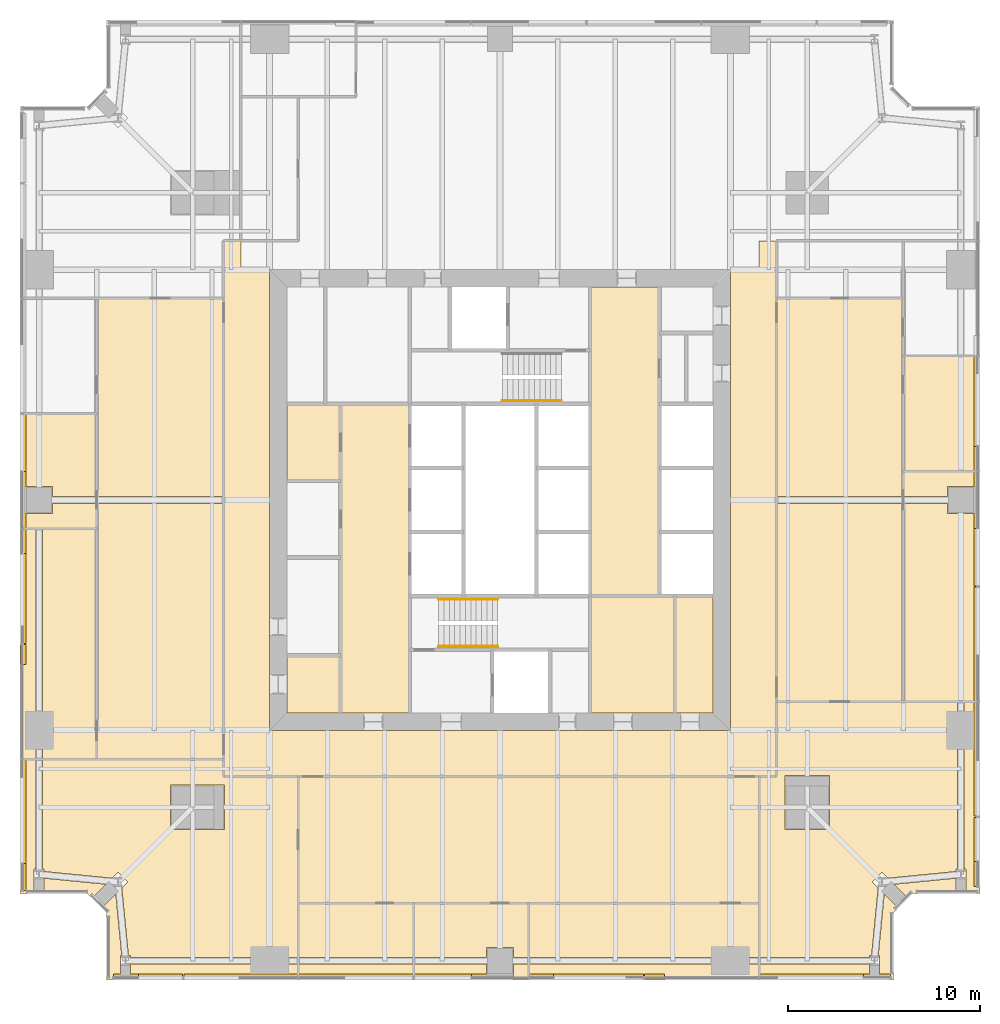
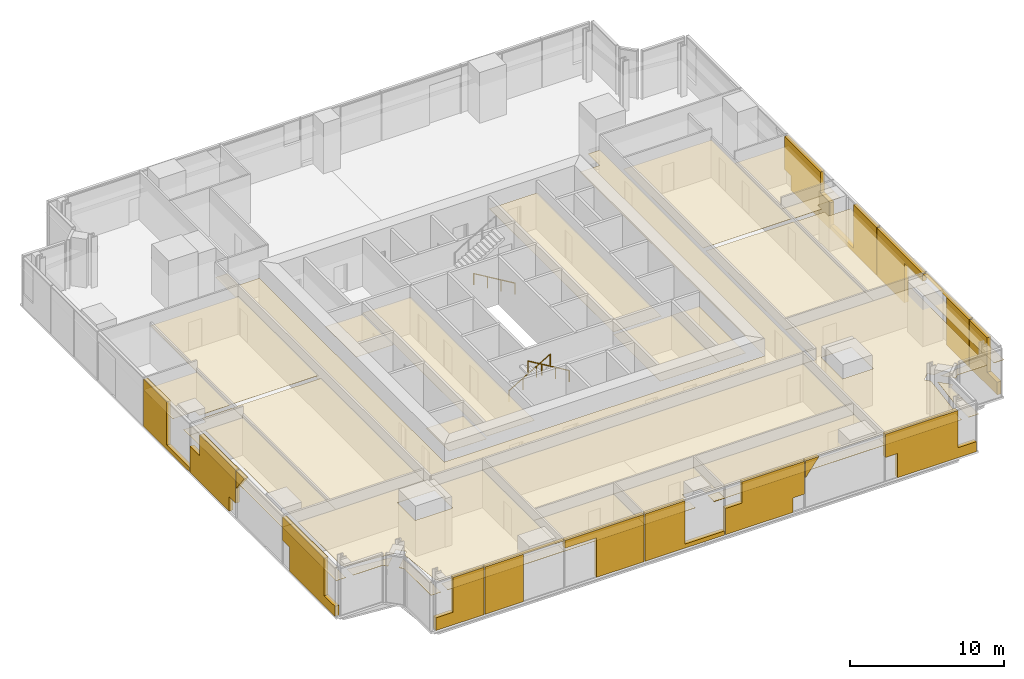
# One storey, part 13 of 14: 52 coverings, 3 railings.
"""IFC4 building model written with IfcOpenShell, lengths in metres."""

from ifc_helpers import new_model, si_unit, direction, frame, origin, origin_2d, place, context, subcontext, project, spatial, polyline, circle, outline, extrude, material, layer, layer_set, type_object, element, save


model = new_model("IFC4")

# Units and contexts
model_context = context("Model", 3, precision=1e-05, world=origin(), true_north=direction((0.0, 1.0)))
body_context = subcontext(model_context, "Body", "Model", "MODEL_VIEW")
ifc_project = project(units=[si_unit("LENGTHUNIT", "METRE"), si_unit("AREAUNIT", "SQUARE_METRE"), si_unit("VOLUMEUNIT", "CUBIC_METRE"), si_unit("PLANEANGLEUNIT", "RADIAN"), si_unit("MASSUNIT", "GRAM", prefix="KILO")], contexts=[model_context])

# Site, building, storey
site_placement = place(None, origin())
site = spatial("IfcSite", under=ifc_project, at=site_placement, CompositionType="ELEMENT")
building_placement = place(site_placement, origin())
building = spatial("IfcBuilding", under=site, at=building_placement, Name="Fenwick Lantern Interchange", CompositionType="ELEMENT")
storey_placement = place(building_placement, frame((0.0, 0.0, 150.39990234375)))
storey = spatial("IfcBuildingStorey", under=building, at=storey_placement, Name="L35", CompositionType="ELEMENT", Elevation=150.39990234375)

# Coverings
ifc_material_1 = material(Name="Mineral fibre acoustic tile on suspended grid")
ifc_layer_1 = layer(ifc_material_1, 0.02001953125)
ifc_layer_set_1 = layer_set([ifc_layer_1], Name="ACOUSTIC TILE CEILING 20")
covering_type_1 = type_object("IfcCoveringType", Name="ACOUSTIC TILE CEILING 20", PredefinedType="CEILING", material=ifc_layer_set_1)
covering_1_placement = place(storey_placement, frame((0.0, 0.0, 2.900146484375)))
element("IfcCovering", 1, at=covering_1_placement, inside=storey, type_object=covering_type_1, Name="Office suite ceiling", PredefinedType="CEILING", context=body_context, shape_type="SweptSolid", body=[
    extrude(outline(polyline([(14.5, 10.60009765625), (14.5, 4.0), (38.5, 4.0), (38.5, 10.60009765625), (14.5, 10.60009765625)])), origin(), (0.0, 0.0, 1.0), 0.02001953125),
])
covering_2_placement = place(storey_placement, frame((0.0, 0.0, 2.900146484375)))
element("IfcCovering", 2, at=covering_2_placement, inside=storey, type_object=covering_type_1, Name="Office study ceiling", PredefinedType="CEILING", context=body_context, shape_type="SweptSolid", body=[
    extrude(outline(polyline([(10.60009765625, 10.60009765625), (10.60009765625, 11.5), (1.17236328125, 11.5), (1.17236328125, 5.78759765625), (1.26220703125, 5.78759765625), (1.26220703125, 5.647705078125), (4.78369140625, 5.303955078125), (5.10009765625, 5.620361328125), (5.620361328125, 5.10009765625), (5.303955078125, 4.78369140625), (5.645263671875, 1.28759765625), (5.76220703125, 1.28759765625), (5.76220703125, 1.17236328125), (13.0, 1.17236328125), (14.5, 1.17236328125), (14.5, 10.60009765625), (10.60009765625, 10.60009765625)]), holes=[polyline([(7.85009765625, 10.14990234375), (10.64990234375, 10.14990234375), (10.64990234375, 7.85009765625), (7.85009765625, 7.85009765625), (7.85009765625, 10.14990234375)])]), origin(), (0.0, 0.0, 1.0), 0.02001953125),
])
covering_3_placement = place(storey_placement, frame((0.0, 0.0, 2.900146484375)))
element("IfcCovering", 3, at=covering_3_placement, inside=storey, type_object=covering_type_1, Name="Office study ceiling", PredefinedType="CEILING", context=body_context, shape_type="SweptSolid", body=[
    extrude(outline(polyline([(14.5, 0.0), (14.5, 0.82763671875), (13.0, 0.82763671875), (5.76220703125, 0.82763671875), (5.76220703125, 0.0), (14.5, 0.0)])), origin(), (0.0, 0.0, 1.0), 0.02001953125),
])
covering_4_placement = place(storey_placement, frame((0.0, 0.0, 2.900146484375)))
element("IfcCovering", 4, at=covering_4_placement, inside=storey, type_object=covering_type_1, Name="Office study ceiling", PredefinedType="CEILING", context=body_context, shape_type="SweptSolid", body=[
    extrude(outline(polyline([(0.73779296875, 5.78759765625), (0.82763671875, 5.78759765625), (0.82763671875, 11.5), (0.0, 11.5), (0.0, 4.5), (0.73779296875, 4.5), (0.73779296875, 5.78759765625)])), origin(), (0.0, 0.0, 1.0), 0.02001953125),
])
covering_5_placement = place(storey_placement, frame((0.0, 0.0, 2.900146484375)))
element("IfcCovering", 5, at=covering_5_placement, inside=storey, type_object=covering_type_1, Name="Office study ceiling", PredefinedType="CEILING", context=body_context, shape_type="SweptSolid", body=[
    extrude(outline(polyline([(5.23779296875, 1.28759765625), (5.298828125, 1.28759765625), (4.988525390625, 4.468017578125), (4.26025390625, 3.73974609375), (4.5, 3.5), (4.5, 0.0), (5.23779296875, 0.0), (5.23779296875, 1.28759765625)])), origin(), (0.0, 0.0, 1.0), 0.02001953125),
])
covering_6_placement = place(storey_placement, frame((0.0, 0.0, 2.900146484375)))
element("IfcCovering", 6, at=covering_6_placement, inside=storey, type_object=covering_type_1, Name="Office study ceiling", PredefinedType="CEILING", context=body_context, shape_type="SweptSolid", body=[
    extrude(outline(polyline([(3.73974609375, 4.26025390625), (4.468017578125, 4.988525390625), (1.26220703125, 5.30126953125), (1.26220703125, 4.5), (3.5, 4.5), (3.73974609375, 4.26025390625)])), origin(), (0.0, 0.0, 1.0), 0.02001953125),
])
covering_7_placement = place(storey_placement, frame((0.0, 0.0, 2.900146484375)))
element("IfcCovering", 7, at=covering_7_placement, inside=storey, type_object=covering_type_1, Name="Office ceiling", PredefinedType="CEILING", context=body_context, shape_type="SweptSolid", body=[
    extrude(outline(polyline([(14.5, 4.0), (14.5, 1.17236328125), (20.5, 1.17236328125), (20.5, 4.0), (14.5, 4.0)])), origin(), (0.0, 0.0, 1.0), 0.02001953125),
])
covering_8_placement = place(storey_placement, frame((0.0, 0.0, 2.900146484375)))
element("IfcCovering", 8, at=covering_8_placement, inside=storey, type_object=covering_type_1, Name="Office ceiling", PredefinedType="CEILING", context=body_context, shape_type="SweptSolid", body=[
    extrude(outline(polyline([(20.5, 0.0), (20.5, 0.82763671875), (14.5, 0.82763671875), (14.5, 0.0), (20.5, 0.0)])), origin(), (0.0, 0.0, 1.0), 0.02001953125),
])
covering_9_placement = place(storey_placement, frame((0.0, 0.0, 2.900146484375)))
element("IfcCovering", 9, at=covering_9_placement, inside=storey, type_object=covering_type_1, Name="Office ceiling", PredefinedType="CEILING", context=body_context, shape_type="SweptSolid", body=[
    extrude(outline(polyline([(20.5, 4.0), (20.5, 1.17236328125), (24.300048828125, 1.17236328125), (24.300048828125, 1.699951171875), (25.699951171875, 1.699951171875), (25.699951171875, 1.17236328125), (26.5, 1.17236328125), (26.5, 4.0), (20.5, 4.0)])), origin(), (0.0, 0.0, 1.0), 0.02001953125),
])
covering_10_placement = place(storey_placement, frame((0.0, 0.0, 2.900146484375)))
element("IfcCovering", 10, at=covering_10_placement, inside=storey, type_object=covering_type_1, Name="Office ceiling", PredefinedType="CEILING", context=body_context, shape_type="SweptSolid", body=[
    extrude(outline(polyline([(20.5, 0.82763671875), (20.5, 0.0), (24.300048828125, 0.0), (24.300048828125, 0.82763671875), (20.5, 0.82763671875)])), origin(), (0.0, 0.0, 1.0), 0.02001953125),
])
covering_11_placement = place(storey_placement, frame((0.0, 0.0, 2.900146484375)))
element("IfcCovering", 11, at=covering_11_placement, inside=storey, type_object=covering_type_1, Name="Office ceiling", PredefinedType="CEILING", context=body_context, shape_type="SweptSolid", body=[
    extrude(outline(polyline([(26.5, 0.0), (26.5, 0.82763671875), (25.699951171875, 0.82763671875), (25.699951171875, 0.0), (26.5, 0.0)])), origin(), (0.0, 0.0, 1.0), 0.02001953125),
])
covering_12_placement = place(storey_placement, frame((0.0, 0.0, 2.900146484375)))
element("IfcCovering", 12, at=covering_12_placement, inside=storey, type_object=covering_type_1, Name="Meeting room ceiling", PredefinedType="CEILING", context=body_context, shape_type="SweptSolid", body=[
    extrude(outline(polyline([(26.5, 4.0), (26.5, 1.17236328125), (37.0, 1.17236328125), (38.5, 1.17236328125), (38.5, 4.0), (26.5, 4.0)])), origin(), (0.0, 0.0, 1.0), 0.02001953125),
])
covering_13_placement = place(storey_placement, frame((0.0, 0.0, 2.900146484375)))
element("IfcCovering", 13, at=covering_13_placement, inside=storey, type_object=covering_type_1, Name="Meeting room ceiling", PredefinedType="CEILING", context=body_context, shape_type="SweptSolid", body=[
    extrude(outline(polyline([(26.5, 0.82763671875), (26.5, 0.0), (38.5, 0.0), (38.5, 0.82763671875), (37.0, 0.82763671875), (26.5, 0.82763671875)])), origin(), (0.0, 0.0, 1.0), 0.02001953125),
])
covering_14_placement = place(storey_placement, frame((0.0, 0.0, 2.900146484375)))
element("IfcCovering", 14, at=covering_14_placement, inside=storey, type_object=covering_type_1, Name="Office suite ceiling", PredefinedType="CEILING", context=body_context, shape_type="SweptSolid", body=[
    extrude(outline(polyline([(39.39990234375, 24.824951171875), (39.39990234375, 14.5), (46.0, 14.5), (46.0, 24.824951171875), (39.39990234375, 24.824951171875)])), origin(), (0.0, 0.0, 1.0), 0.02001953125),
])
covering_15_placement = place(storey_placement, frame((0.0, 0.0, 2.900146484375)))
element("IfcCovering", 15, at=covering_15_placement, inside=storey, type_object=covering_type_1, Name="Office suite ceiling", PredefinedType="CEILING", context=body_context, shape_type="SweptSolid", body=[
    extrude(outline(polyline([(39.39990234375, 35.5), (39.39990234375, 25.175048828125), (46.0, 25.175048828125), (46.0, 35.5), (39.39990234375, 35.5)])), origin(), (0.0, 0.0, 1.0), 0.02001953125),
])
covering_16_placement = place(storey_placement, frame((0.0, 0.0, 2.900146484375)))
element("IfcCovering", 16, at=covering_16_placement, inside=storey, type_object=covering_type_1, Name="Office study ceiling", PredefinedType="CEILING", context=body_context, shape_type="SweptSolid", body=[
    extrude(outline(polyline([(44.23779296875, 1.28759765625), (44.354736328125, 1.28759765625), (44.696044921875, 4.78369140625), (44.379638671875, 5.10009765625), (44.89990234375, 5.620361328125), (45.21630859375, 5.303955078125), (48.73779296875, 5.647705078125), (48.73779296875, 5.78759765625), (48.82763671875, 5.78759765625), (48.82763671875, 13.0), (48.82763671875, 14.5), (39.39990234375, 14.5), (39.39990234375, 10.60009765625), (38.5, 10.60009765625), (38.5, 1.17236328125), (44.23779296875, 1.17236328125), (44.23779296875, 1.28759765625)]), holes=[polyline([(39.85009765625, 7.85009765625), (39.85009765625, 10.64990234375), (42.14990234375, 10.64990234375), (42.14990234375, 7.85009765625), (39.85009765625, 7.85009765625)])]), origin(), (0.0, 0.0, 1.0), 0.02001953125),
])
covering_17_placement = place(storey_placement, frame((0.0, 0.0, 2.900146484375)))
element("IfcCovering", 17, at=covering_17_placement, inside=storey, type_object=covering_type_1, Name="Office study ceiling", PredefinedType="CEILING", context=body_context, shape_type="SweptSolid", body=[
    extrude(outline(polyline([(50.0, 14.5), (49.17236328125, 14.5), (49.17236328125, 13.0), (49.17236328125, 5.78759765625), (49.26220703125, 5.78759765625), (49.26220703125, 4.5), (50.0, 4.5), (50.0, 14.5)])), origin(), (0.0, 0.0, 1.0), 0.02001953125),
])
covering_18_placement = place(storey_placement, frame((0.0, 0.0, 2.900146484375)))
element("IfcCovering", 18, at=covering_18_placement, inside=storey, type_object=covering_type_1, Name="Office study ceiling", PredefinedType="CEILING", context=body_context, shape_type="SweptSolid", body=[
    extrude(outline(polyline([(44.23779296875, 0.0), (44.23779296875, 0.82763671875), (38.5, 0.82763671875), (38.5, 0.0), (44.23779296875, 0.0)])), origin(), (0.0, 0.0, 1.0), 0.02001953125),
])
covering_19_placement = place(storey_placement, frame((0.0, 0.0, 2.900146484375)))
element("IfcCovering", 19, at=covering_19_placement, inside=storey, type_object=covering_type_1, Name="Office study ceiling", PredefinedType="CEILING", context=body_context, shape_type="SweptSolid", body=[
    extrude(outline(polyline([(44.701171875, 1.28759765625), (44.76220703125, 1.28759765625), (44.76220703125, 0.0), (45.5, 0.0), (45.5, 3.5), (45.73974609375, 3.73974609375), (45.011474609375, 4.468017578125), (44.701171875, 1.28759765625)])), origin(), (0.0, 0.0, 1.0), 0.02001953125),
])
covering_20_placement = place(storey_placement, frame((0.0, 0.0, 2.900146484375)))
element("IfcCovering", 20, at=covering_20_placement, inside=storey, type_object=covering_type_1, Name="Office study ceiling", PredefinedType="CEILING", context=body_context, shape_type="SweptSolid", body=[
    extrude(outline(polyline([(48.73779296875, 4.5), (48.73779296875, 5.30126953125), (45.531982421875, 4.988525390625), (46.26025390625, 4.26025390625), (46.5, 4.5), (48.73779296875, 4.5)])), origin(), (0.0, 0.0, 1.0), 0.02001953125),
])
covering_21_placement = place(storey_placement, frame((0.0, 0.0, 2.8681640625)))
element("IfcCovering", 21, at=covering_21_placement, inside=storey, type_object=covering_type_1, Name="Meeting room ceiling", PredefinedType="CEILING", context=body_context, shape_type="SweptSolid", body=[
    extrude(outline(polyline([(46.0, 24.824951171875), (46.0, 14.5), (50.0, 14.5), (50.0, 24.300048828125), (48.300048828125, 24.300048828125), (48.300048828125, 24.824951171875), (46.0, 24.824951171875)])), origin(), (0.0, 0.0, 1.0), 0.02001953125),
])
covering_22_placement = place(storey_placement, frame((0.0, 0.0, 2.8681640625)))
element("IfcCovering", 22, at=covering_22_placement, inside=storey, type_object=covering_type_1, Name="Meeting room ceiling", PredefinedType="CEILING", context=body_context, shape_type="SweptSolid", body=[
    extrude(outline(polyline([(46.0, 26.5), (46.0, 25.175048828125), (48.300048828125, 25.175048828125), (48.300048828125, 25.699951171875), (50.0, 25.699951171875), (50.0, 26.5), (46.0, 26.5)])), origin(), (0.0, 0.0, 1.0), 0.02001953125),
])
covering_23_placement = place(storey_placement, frame((0.0, 0.0, 2.8681640625)))
element("IfcCovering", 23, at=covering_23_placement, inside=storey, type_object=covering_type_1, Name="Office ceiling", PredefinedType="CEILING", context=body_context, shape_type="SweptSolid", body=[
    extrude(outline(polyline([(50.0, 26.5), (50.0, 32.5), (46.0, 32.5), (46.0, 26.5), (50.0, 26.5)])), origin(), (0.0, 0.0, 1.0), 0.02001953125),
])
covering_24_placement = place(storey_placement, frame((0.0, 0.0, 2.900146484375)))
element("IfcCovering", 24, at=covering_24_placement, inside=storey, type_object=covering_type_1, Name="Office suite ceiling", PredefinedType="CEILING", context=body_context, shape_type="SweptSolid", body=[
    extrude(outline(polyline([(10.60009765625, 11.5), (10.60009765625, 24.824951171875), (4.0, 24.824951171875), (4.0, 11.5), (10.60009765625, 11.5)])), origin(), (0.0, 0.0, 1.0), 0.02001953125),
])
covering_25_placement = place(storey_placement, frame((0.0, 0.0, 2.900146484375)))
element("IfcCovering", 25, at=covering_25_placement, inside=storey, type_object=covering_type_1, Name="Office suite ceiling", PredefinedType="CEILING", context=body_context, shape_type="SweptSolid", body=[
    extrude(outline(polyline([(10.60009765625, 25.175048828125), (10.60009765625, 35.5), (4.0, 35.5), (4.0, 25.175048828125), (10.60009765625, 25.175048828125)])), origin(), (0.0, 0.0, 1.0), 0.02001953125),
])
covering_26_placement = place(storey_placement, frame((0.0, 0.0, 2.8681640625)))
element("IfcCovering", 26, at=covering_26_placement, inside=storey, type_object=covering_type_1, Name="Office ceiling", PredefinedType="CEILING", context=body_context, shape_type="SweptSolid", body=[
    extrude(outline(polyline([(4.0, 29.5), (0.0, 29.5), (0.0, 25.699951171875), (1.699951171875, 25.699951171875), (1.699951171875, 25.175048828125), (4.0, 25.175048828125), (4.0, 29.5)])), origin(), (0.0, 0.0, 1.0), 0.02001953125),
])
covering_27_placement = place(storey_placement, frame((0.0, 0.0, 2.8681640625)))
element("IfcCovering", 27, at=covering_27_placement, inside=storey, type_object=covering_type_1, Name="Office ceiling", PredefinedType="CEILING", context=body_context, shape_type="SweptSolid", body=[
    extrude(outline(polyline([(4.0, 23.5), (4.0, 24.824951171875), (1.699951171875, 24.824951171875), (1.699951171875, 24.300048828125), (0.0, 24.300048828125), (0.0, 23.5), (4.0, 23.5)])), origin(), (0.0, 0.0, 1.0), 0.02001953125),
])
covering_28_placement = place(storey_placement, frame((0.0, 0.0, 2.900146484375)))
element("IfcCovering", 28, at=covering_28_placement, inside=storey, type_object=covering_type_1, Name="Meeting room ceiling", PredefinedType="CEILING", context=body_context, shape_type="SweptSolid", body=[
    extrude(outline(polyline([(4.0, 23.5), (1.17236328125, 23.5), (1.17236328125, 13.0), (1.17236328125, 11.5), (4.0, 11.5), (4.0, 23.5)])), origin(), (0.0, 0.0, 1.0), 0.02001953125),
])
covering_29_placement = place(storey_placement, frame((0.0, 0.0, 2.900146484375)))
element("IfcCovering", 29, at=covering_29_placement, inside=storey, type_object=covering_type_1, Name="Meeting room ceiling", PredefinedType="CEILING", context=body_context, shape_type="SweptSolid", body=[
    extrude(outline(polyline([(0.82763671875, 23.5), (0.0, 23.5), (0.0, 11.5), (0.82763671875, 11.5), (0.82763671875, 13.0), (0.82763671875, 23.5)])), origin(), (0.0, 0.0, 1.0), 0.02001953125),
])
ifc_material_2 = material(Name="Granite cladding, warm grey flamed finish, on aluminium carrier frame", Category="masonry")
ifc_layer_2 = layer(ifc_material_2, 0.300048828125)
ifc_layer_set_2 = layer_set([ifc_layer_2], Name="BRACE CASING PANEL 300")
covering_type_2 = type_object("IfcCoveringType", Name="BRACE CASING PANEL 300", PredefinedType="CLADDING", material=ifc_layer_set_2)
covering_30_placement = place(storey_placement, frame((4.60009765625, 0.10009765625, 0.0), z_axis=(0.0, 0.0, 1.0), x_axis=(1.0, 0.0, 0.0)))
element("IfcCovering", 30, at=covering_30_placement, inside=storey, type_object=covering_type_2, Name="Brace casing 01 bay 00a", PredefinedType="CLADDING", context=body_context, shape_type="SweptSolid", body=[
    extrude(outline(polyline([(0.264892578125, 0.0), (3.867431640625, 0.0), (3.867431640625, 3.75), (1.56005859375, 3.75), (1.56005859375, 1.008056640625), (0.264892578125, 1.008056640625), (0.264892578125, 0.0)])), frame((0.0, 0.2001953125, 0.0), z_axis=(0.0, -1.0, 0.0), x_axis=(1.0, 0.0, 0.0)), (0.0, 0.0, 1.0), 0.300048828125),
])
covering_31_placement = place(storey_placement, frame((4.60009765625, 0.10009765625, 0.0), z_axis=(0.0, 0.0, 1.0), x_axis=(1.0, 0.0, 0.0)))
element("IfcCovering", 31, at=covering_31_placement, inside=storey, type_object=covering_type_2, Name="Brace casing 01 bay 01a", PredefinedType="CLADDING", context=body_context, shape_type="SweptSolid", body=[
    extrude(outline(polyline([(3.9326171875, 0.0), (6.835205078125, 0.0), (6.835205078125, 3.7490234375), (9.867431640625, 3.7490234375), (9.867431640625, 3.75), (3.9326171875, 3.75), (3.9326171875, 0.0)])), frame((0.0, 0.2001953125, 0.0), z_axis=(0.0, -1.0, 0.0), x_axis=(1.0, 0.0, 0.0)), (0.0, 0.0, 1.0), 0.300048828125),
])
covering_32_placement = place(storey_placement, frame((4.60009765625, 0.10009765625, 0.0), z_axis=(0.0, 0.0, 1.0), x_axis=(1.0, 0.0, 0.0)))
element("IfcCovering", 32, at=covering_32_placement, inside=storey, type_object=covering_type_2, Name="Brace casing 01 bay 02a", PredefinedType="CLADDING", context=body_context, shape_type="SweptSolid", body=[
    extrude(outline(polyline([(12.297607421875, 0.0), (15.867431640625, 0.0), (15.867431640625, 3.75), (9.9326171875, 3.75), (9.9326171875, 3.133544921875), (12.297607421875, 3.133544921875), (12.297607421875, 0.0)])), frame((0.0, 0.2001953125, 0.0), z_axis=(0.0, -1.0, 0.0), x_axis=(1.0, 0.0, 0.0)), (0.0, 0.0, 1.0), 0.300048828125),
])
covering_33_placement = place(storey_placement, frame((4.60009765625, 0.10009765625, 0.0), z_axis=(0.0, 0.0, 1.0), x_axis=(1.0, 0.0, 0.0)))
element("IfcCovering", 33, at=covering_33_placement, inside=storey, type_object=covering_type_2, Name="Brace casing 01 bay 03a", PredefinedType="CLADDING", context=body_context, shape_type="SweptSolid", body=[
    extrude(outline(polyline([(15.9326171875, 0.0), (21.867431640625, 0.0), (21.867431640625, 0.328125), (18.928466796875, 0.328125), (18.928466796875, 3.75), (15.9326171875, 3.75), (15.9326171875, 0.0)])), frame((0.0, 0.2001953125, 0.0), z_axis=(0.0, -1.0, 0.0), x_axis=(1.0, 0.0, 0.0)), (0.0, 0.0, 1.0), 0.300048828125),
])
covering_34_placement = place(storey_placement, frame((4.60009765625, 0.10009765625, 0.0), z_axis=(0.0, 0.0, 1.0), x_axis=(1.0, 0.0, 0.0)))
element("IfcCovering", 34, at=covering_34_placement, inside=storey, type_object=covering_type_2, Name="Brace casing 01 bay 04a", PredefinedType="CLADDING", context=body_context, shape_type="SweptSolid", body=[
    extrude(outline(polyline([(21.9326171875, 0.0), (27.00048828125, 0.0), (27.00048828125, 1.145263671875), (27.867431640625, 1.145263671875), (27.867431640625, 3.75), (23.192626953125, 3.75), (23.192626953125, 2.076904296875), (21.9326171875, 2.076904296875), (21.9326171875, 0.0)])), frame((0.0, 0.2001953125, 0.0), z_axis=(0.0, -1.0, 0.0), x_axis=(1.0, 0.0, 0.0)), (0.0, 0.0, 1.0), 0.300048828125),
])
covering_35_placement = place(storey_placement, frame((4.60009765625, 0.10009765625, 2.379150390625), z_axis=(0.0, 0.0, 1.0), x_axis=(1.0, 0.0, 0.0)))
element("IfcCovering", 35, at=covering_35_placement, inside=storey, type_object=covering_type_2, Name="Brace casing 01 bay 05a", PredefinedType="CLADDING", context=body_context, shape_type="SweptSolid", body=[
    extrude(outline(polyline([(27.9326171875, 0.0), (28.96826171875, 1.370849609375), (27.9326171875, 1.370849609375), (27.9326171875, 0.0)])), frame((0.0, 0.2001953125, 0.0), z_axis=(0.0, -1.0, 0.0), x_axis=(1.0, 0.0, 0.0)), (0.0, 0.0, 1.0), 0.300048828125),
])
covering_36_placement = place(storey_placement, frame((4.60009765625, 0.10009765625, 0.0), z_axis=(0.0, 0.0, 1.0), x_axis=(1.0, 0.0, 0.0)))
element("IfcCovering", 36, at=covering_36_placement, inside=storey, type_object=covering_type_2, Name="Brace casing 01 bay 06a", PredefinedType="CLADDING", context=body_context, shape_type="SweptSolid", body=[
    extrude(outline(polyline([(34.83251953125, 0.0), (40.735107421875, 0.0), (40.735107421875, 0.79541015625), (39.34033203125, 0.79541015625), (39.34033203125, 3.75), (33.9326171875, 3.75), (33.9326171875, 1.9111328125), (34.83251953125, 1.9111328125), (34.83251953125, 0.0)])), frame((0.0, 0.2001953125, 0.0), z_axis=(0.0, -1.0, 0.0), x_axis=(1.0, 0.0, 0.0)), (0.0, 0.0, 1.0), 0.300048828125),
])
covering_37_placement = place(storey_placement, frame((49.89990234375, 4.60009765625, 0.0), z_axis=(0.0, 0.0, 1.0), x_axis=(0.0, 1.0, 0.0)))
element("IfcCovering", 37, at=covering_37_placement, inside=storey, type_object=covering_type_2, Name="Brace casing 05 bay 00a", PredefinedType="CLADDING", context=body_context, shape_type="SweptSolid", body=[
    extrude(outline(polyline([(0.264892578125, 0.0), (3.867431640625, 0.0), (3.867431640625, 3.75), (1.56005859375, 3.75), (1.56005859375, 1.008056640625), (0.264892578125, 1.008056640625), (0.264892578125, 0.0)])), frame((0.0, 0.2001953125, 0.0), z_axis=(0.0, -1.0, 0.0), x_axis=(1.0, 0.0, 0.0)), (0.0, 0.0, 1.0), 0.300048828125),
])
covering_38_placement = place(storey_placement, frame((49.89990234375, 4.60009765625, 0.0), z_axis=(0.0, 0.0, 1.0), x_axis=(0.0, 1.0, 0.0)))
element("IfcCovering", 38, at=covering_38_placement, inside=storey, type_object=covering_type_2, Name="Brace casing 05 bay 01a", PredefinedType="CLADDING", context=body_context, shape_type="SweptSolid", body=[
    extrude(outline(polyline([(3.9326171875, 0.0), (6.835205078125, 0.0), (6.835205078125, 3.7490234375), (9.867431640625, 3.7490234375), (9.867431640625, 3.75), (3.9326171875, 3.75), (3.9326171875, 0.0)])), frame((0.0, 0.2001953125, 0.0), z_axis=(0.0, -1.0, 0.0), x_axis=(1.0, 0.0, 0.0)), (0.0, 0.0, 1.0), 0.300048828125),
])
covering_39_placement = place(storey_placement, frame((49.89990234375, 4.60009765625, 0.0), z_axis=(0.0, 0.0, 1.0), x_axis=(0.0, 1.0, 0.0)))
element("IfcCovering", 39, at=covering_39_placement, inside=storey, type_object=covering_type_2, Name="Brace casing 05 bay 02a", PredefinedType="CLADDING", context=body_context, shape_type="SweptSolid", body=[
    extrude(outline(polyline([(12.297607421875, 0.0), (15.867431640625, 0.0), (15.867431640625, 3.75), (9.9326171875, 3.75), (9.9326171875, 3.133544921875), (12.297607421875, 3.133544921875), (12.297607421875, 0.0)])), frame((0.0, 0.2001953125, 0.0), z_axis=(0.0, -1.0, 0.0), x_axis=(1.0, 0.0, 0.0)), (0.0, 0.0, 1.0), 0.300048828125),
])
covering_40_placement = place(storey_placement, frame((49.89990234375, 4.60009765625, 0.0), z_axis=(0.0, 0.0, 1.0), x_axis=(0.0, 1.0, 0.0)))
element("IfcCovering", 40, at=covering_40_placement, inside=storey, type_object=covering_type_2, Name="Brace casing 05 bay 03a", PredefinedType="CLADDING", context=body_context, shape_type="SweptSolid", body=[
    extrude(outline(polyline([(15.9326171875, 0.0), (21.867431640625, 0.0), (21.867431640625, 0.328125), (18.928466796875, 0.328125), (18.928466796875, 3.75), (15.9326171875, 3.75), (15.9326171875, 0.0)])), frame((0.0, 0.2001953125, 0.0), z_axis=(0.0, -1.0, 0.0), x_axis=(1.0, 0.0, 0.0)), (0.0, 0.0, 1.0), 0.300048828125),
])
covering_41_placement = place(storey_placement, frame((49.89990234375, 4.60009765625, 0.0), z_axis=(0.0, 0.0, 1.0), x_axis=(0.0, 1.0, 0.0)))
element("IfcCovering", 41, at=covering_41_placement, inside=storey, type_object=covering_type_2, Name="Brace casing 05 bay 04a", PredefinedType="CLADDING", context=body_context, shape_type="SweptSolid", body=[
    extrude(outline(polyline([(21.9326171875, 0.0), (27.00048828125, 0.0), (27.00048828125, 1.145263671875), (27.867431640625, 1.145263671875), (27.867431640625, 3.75), (23.192626953125, 3.75), (23.192626953125, 2.076904296875), (21.9326171875, 2.076904296875), (21.9326171875, 0.0)])), frame((0.0, 0.2001953125, 0.0), z_axis=(0.0, -1.0, 0.0), x_axis=(1.0, 0.0, 0.0)), (0.0, 0.0, 1.0), 0.300048828125),
])
covering_42_placement = place(storey_placement, frame((0.10009765625, 45.39990234375, 0.0), z_axis=(0.0, 0.0, 1.0), x_axis=(0.0, -1.0, 0.0)))
element("IfcCovering", 42, at=covering_42_placement, inside=storey, type_object=covering_type_2, Name="Brace casing 13 bay 03a", PredefinedType="CLADDING", context=body_context, shape_type="SweptSolid", body=[
    extrude(outline(polyline([(15.9326171875, 0.0), (21.867431640625, 0.0), (21.867431640625, 0.328125), (18.928466796875, 0.328125), (18.928466796875, 3.75), (15.9326171875, 3.75), (15.9326171875, 0.0)])), frame((0.0, 0.2001953125, 0.0), z_axis=(0.0, -1.0, 0.0), x_axis=(1.0, 0.0, 0.0)), (0.0, 0.0, 1.0), 0.300048828125),
])
covering_43_placement = place(storey_placement, frame((0.10009765625, 45.39990234375, 0.0), z_axis=(0.0, 0.0, 1.0), x_axis=(0.0, -1.0, 0.0)))
element("IfcCovering", 43, at=covering_43_placement, inside=storey, type_object=covering_type_2, Name="Brace casing 13 bay 04a", PredefinedType="CLADDING", context=body_context, shape_type="SweptSolid", body=[
    extrude(outline(polyline([(21.9326171875, 0.0), (27.00048828125, 0.0), (27.00048828125, 1.145263671875), (27.867431640625, 1.145263671875), (27.867431640625, 3.75), (23.192626953125, 3.75), (23.192626953125, 2.076904296875), (21.9326171875, 2.076904296875), (21.9326171875, 0.0)])), frame((0.0, 0.2001953125, 0.0), z_axis=(0.0, -1.0, 0.0), x_axis=(1.0, 0.0, 0.0)), (0.0, 0.0, 1.0), 0.300048828125),
])
covering_44_placement = place(storey_placement, frame((0.10009765625, 45.39990234375, 2.379150390625), z_axis=(0.0, 0.0, 1.0), x_axis=(0.0, -1.0, 0.0)))
element("IfcCovering", 44, at=covering_44_placement, inside=storey, type_object=covering_type_2, Name="Brace casing 13 bay 05a", PredefinedType="CLADDING", context=body_context, shape_type="SweptSolid", body=[
    extrude(outline(polyline([(27.9326171875, 0.0), (28.96826171875, 1.370849609375), (27.9326171875, 1.370849609375), (27.9326171875, 0.0)])), frame((0.0, 0.2001953125, 0.0), z_axis=(0.0, -1.0, 0.0), x_axis=(1.0, 0.0, 0.0)), (0.0, 0.0, 1.0), 0.300048828125),
])
covering_45_placement = place(storey_placement, frame((0.10009765625, 45.39990234375, 0.0), z_axis=(0.0, 0.0, 1.0), x_axis=(0.0, -1.0, 0.0)))
element("IfcCovering", 45, at=covering_45_placement, inside=storey, type_object=covering_type_2, Name="Brace casing 13 bay 06a", PredefinedType="CLADDING", context=body_context, shape_type="SweptSolid", body=[
    extrude(outline(polyline([(34.83251953125, 0.0), (40.735107421875, 0.0), (40.735107421875, 0.79541015625), (39.34033203125, 0.79541015625), (39.34033203125, 3.75), (33.9326171875, 3.75), (33.9326171875, 1.9111328125), (34.83251953125, 1.9111328125), (34.83251953125, 0.0)])), frame((0.0, 0.2001953125, 0.0), z_axis=(0.0, -1.0, 0.0), x_axis=(1.0, 0.0, 0.0)), (0.0, 0.0, 1.0), 0.300048828125),
])

# Railings
ifc_material_3 = material(Name="Stainless steel handrail", Category="steel")
railing_type = type_object("IfcRailingType", Name="HANDRAIL 900", PredefinedType="HANDRAIL", material=ifc_material_3)
railing_placement = place(storey_placement, frame((21.800048828125, 19.825927734375, 0.166748046875)))
element("IfcRailing", 46, at=railing_placement, inside=storey, type_object=railing_type, Name="L35/STAIR/ST1/HR1", PredefinedType="HANDRAIL", context=body_context, shape_type="SweptSolid", body=[
    extrude(circle(Radius=0.02392578125, at=origin_2d()), frame((0.0, 0.0, 0.8759765625), z_axis=(0.859290745958, 0.0, 0.51148745235), x_axis=(0.0, 1.0, 0.0)), (0.0, 0.0, 1.0), 3.584228515625),
    extrude(circle(Radius=0.02099609375, at=origin_2d()), origin(), (0.0, 0.0, 1.0), 0.851806640625),
    extrude(circle(Radius=0.02099609375, at=origin_2d()), frame((1.026611328125, 0.0, 0.611083984375)), (0.0, 0.0, 1.0), 0.851806640625),
    extrude(circle(Radius=0.02099609375, at=origin_2d()), frame((2.05322265625, 0.0, 1.22216796875)), (0.0, 0.0, 1.0), 0.851806640625),
    extrude(circle(Radius=0.02099609375, at=origin_2d()), frame((3.079833984375, 0.0, 1.833251953125)), (0.0, 0.0, 1.0), 0.851806640625),
])
for number, where, name in (
    (47, (24.8798828125, 17.3740234375, 2.166748046875), "L35/STAIR/ST1/HR2"),
    (48, (28.199951171875, 30.174072265625, 0.166748046875), "L35/STAIR/ST2/HR1"),
):
    element("IfcRailing", number, at=place(storey_placement, frame(where)), inside=storey, type_object=railing_type, Name=name, PredefinedType="HANDRAIL", context=body_context, shape_type="SweptSolid", body=[
        extrude(circle(Radius=0.02392578125, at=origin_2d()), frame((0.0, 0.0, 0.8759765625), z_axis=(-0.859290745958, 0.0, 0.51148745235), x_axis=(0.0, -1.0, 0.0)), (0.0, 0.0, 1.0), 3.584228515625),
        extrude(circle(Radius=0.02099609375, at=origin_2d()), origin(), (0.0, 0.0, 1.0), 0.851806640625),
        extrude(circle(Radius=0.02099609375, at=origin_2d()), frame((-1.026611328125, 0.0, 0.611083984375)), (0.0, 0.0, 1.0), 0.851806640625),
        extrude(circle(Radius=0.02099609375, at=origin_2d()), frame((-2.05322265625, 0.0, 1.22216796875)), (0.0, 0.0, 1.0), 0.851806640625),
        extrude(circle(Radius=0.02099609375, at=origin_2d()), frame((-3.079833984375, 0.0, 1.833251953125)), (0.0, 0.0, 1.0), 0.851806640625),
    ])

# Coverings
ifc_material_4 = material(Name="Moisture resistant gypsum board on suspended frame, painted")
ifc_layer_3 = layer(ifc_material_4, 0.014892578125)
ifc_layer_set_3 = layer_set([ifc_layer_3], Name="MOISTURE RESISTANT CEILING 15")
covering_type_3 = type_object("IfcCoveringType", Name="MOISTURE RESISTANT CEILING 15", PredefinedType="CEILING", material=ifc_layer_set_3)
covering_46_placement = place(storey_placement, frame((0.0, 0.0, 2.60009765625)))
element("IfcCovering", 49, at=covering_46_placement, inside=storey, type_object=covering_type_3, Name="Women's WC ceiling", PredefinedType="CEILING", context=body_context, shape_type="SweptSolid", body=[
    extrude(outline(polyline([(29.699951171875, 13.89990234375), (34.10009765625, 13.89990234375), (34.10009765625, 20.0), (29.699951171875, 20.0), (29.699951171875, 13.89990234375)])), origin(), (0.0, 0.0, 1.0), 0.014892578125),
])
covering_47_placement = place(storey_placement, frame((0.0, 0.0, 2.60009765625)))
element("IfcCovering", 50, at=covering_47_placement, inside=storey, type_object=covering_type_3, Name="Men's WC ceiling", PredefinedType="CEILING", context=body_context, shape_type="SweptSolid", body=[
    extrude(outline(polyline([(34.10009765625, 13.89990234375), (36.10009765625, 13.89990234375), (36.10009765625, 20.0), (34.10009765625, 20.0), (34.10009765625, 13.89990234375)])), origin(), (0.0, 0.0, 1.0), 0.014892578125),
])
covering_48_placement = place(storey_placement, frame((0.0, 0.0, 2.60009765625)))
element("IfcCovering", 51, at=covering_48_placement, inside=storey, type_object=covering_type_3, Name="Accessible WC ceiling", PredefinedType="CEILING", context=body_context, shape_type="SweptSolid", body=[
    extrude(outline(polyline([(13.89990234375, 13.89990234375), (16.699951171875, 13.89990234375), (16.699951171875, 16.89990234375), (13.89990234375, 16.89990234375), (13.89990234375, 13.89990234375)])), origin(), (0.0, 0.0, 1.0), 0.014892578125),
])
covering_49_placement = place(storey_placement, frame((0.0, 0.0, 2.7001953125)))
element("IfcCovering", 52, at=covering_49_placement, inside=storey, type_object=covering_type_3, Name="Pantry ceiling", PredefinedType="CEILING", context=body_context, shape_type="SweptSolid", body=[
    extrude(outline(polyline([(13.89990234375, 26.0), (16.699951171875, 26.0), (16.699951171875, 30.0), (13.89990234375, 30.0), (13.89990234375, 26.0)])), origin(), (0.0, 0.0, 1.0), 0.014892578125),
])
ifc_material_5 = material(Name="Gypsum plasterboard on suspended frame, painted")
ifc_layer_4 = layer(ifc_material_5, 0.014892578125)
ifc_layer_set_4 = layer_set([ifc_layer_4], Name="PLASTERBOARD CEILING 15")
covering_type_4 = type_object("IfcCoveringType", Name="PLASTERBOARD CEILING 15", PredefinedType="CEILING", material=ifc_layer_set_4)
covering_50_placement = place(storey_placement, frame((0.0, 0.0, 2.800048828125)))
element("IfcCovering", 53, at=covering_50_placement, inside=storey, type_object=covering_type_4, Name="Lift lobby ceiling", PredefinedType="CEILING", context=body_context, shape_type="SweptSolid", body=[
    extrude(outline(polyline([(16.699951171875, 13.89990234375), (20.300048828125, 13.89990234375), (20.300048828125, 30.0), (16.699951171875, 30.0), (16.699951171875, 13.89990234375)])), origin(), (0.0, 0.0, 1.0), 0.01513671875),
])
covering_51_placement = place(storey_placement, frame((0.0, 0.0, 2.800048828125)))
element("IfcCovering", 54, at=covering_51_placement, inside=storey, type_object=covering_type_4, Name="Lift lobby ceiling", PredefinedType="CEILING", context=body_context, shape_type="SweptSolid", body=[
    extrude(outline(polyline([(33.300048828125, 36.10009765625), (29.699951171875, 36.10009765625), (29.699951171875, 20.0), (33.300048828125, 20.0), (33.300048828125, 36.10009765625)])), origin(), (0.0, 0.0, 1.0), 0.01513671875),
])
covering_52_placement = place(storey_placement, frame((0.0, 0.0, 2.60009765625)))
element("IfcCovering", 55, at=covering_52_placement, inside=storey, type_object=covering_type_4, Name="Corridor ceiling", PredefinedType="CEILING", context=body_context, shape_type="SweptSolid", body=[
    extrude(outline(polyline([(10.60009765625, 38.5), (10.60009765625, 10.60009765625), (39.39990234375, 10.60009765625), (39.39990234375, 38.5), (38.5, 38.5), (38.5, 37.0), (37.0, 37.0), (37.0, 13.0), (13.0, 13.0), (13.0, 37.0), (11.5, 37.0), (11.5, 38.5), (10.60009765625, 38.5)])), origin(), (0.0, 0.0, 1.0), 0.014892578125),
])

save(model, "model.ifc")
